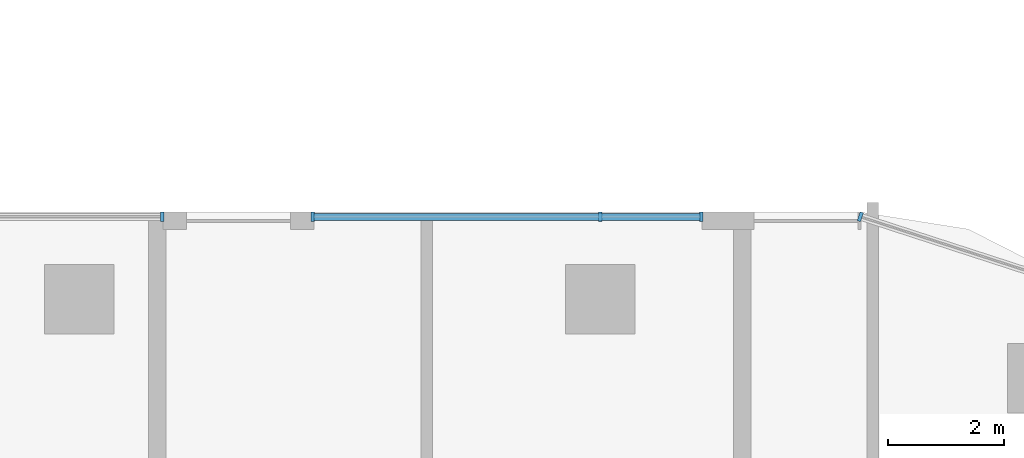
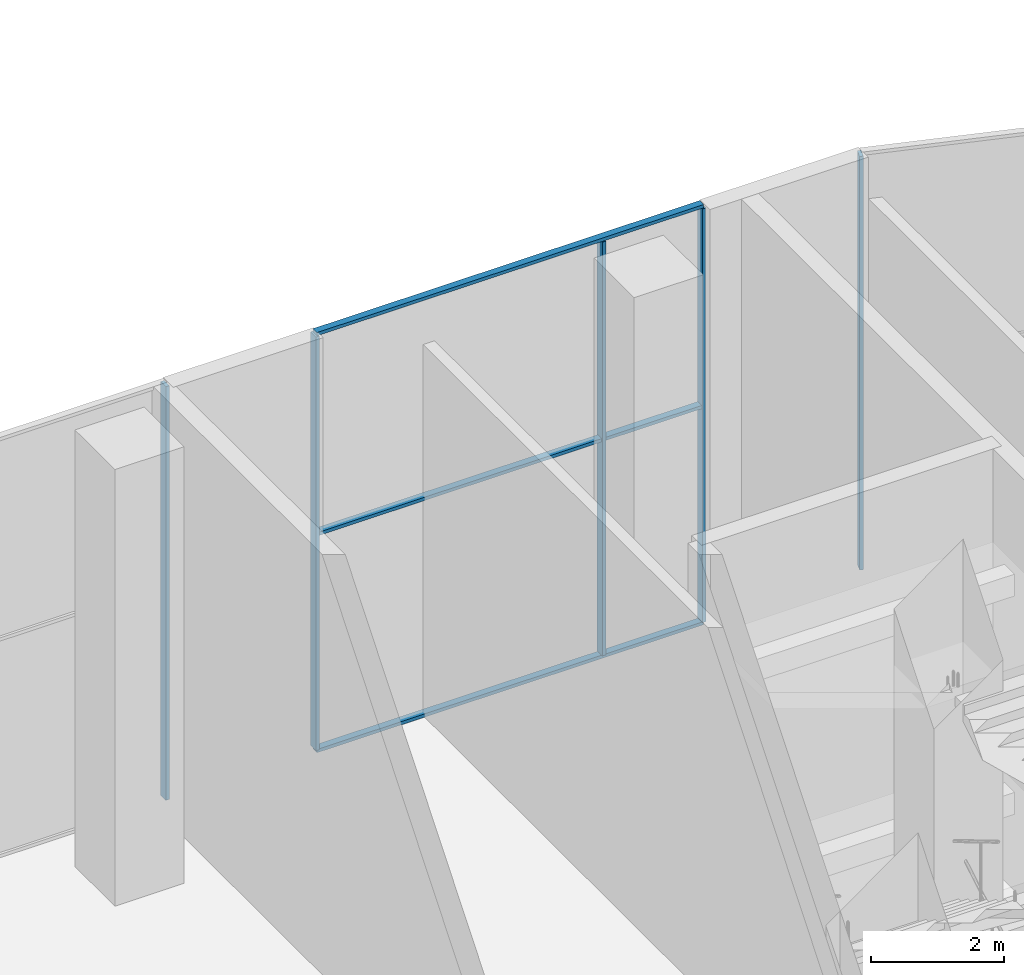
# One storey, part 15 of 54: 8 members, 3 elements without a shape of their own.
"""IFC4 building model written with IfcOpenShell, lengths in metres."""

from ifc_helpers import new_model, si_unit, direction, frame, origin, origin_2d, place, context, subcontext, project, spatial, rectangle, extrude, material, material_profile, profile_set, type_object, element, aggregate, save


model = new_model("IFC4")

# Units and contexts
model_context = context("Model", 3, precision=1e-05, world=origin(), true_north=direction((0.0, 1.0)))
body_context = subcontext(model_context, "Body", "Model", "MODEL_VIEW")
ifc_project = project(units=[si_unit("LENGTHUNIT", "METRE"), si_unit("AREAUNIT", "SQUARE_METRE"), si_unit("VOLUMEUNIT", "CUBIC_METRE"), si_unit("PLANEANGLEUNIT", "RADIAN"), si_unit("MASSUNIT", "GRAM", prefix="KILO")], contexts=[model_context])

# Site, building, storey
site_placement = place(None, origin())
site = spatial("IfcSite", under=ifc_project, at=site_placement, CompositionType="ELEMENT")
building_placement = place(site_placement, origin())
building = spatial("IfcBuilding", under=site, at=building_placement, Name="Ogive Portal Towers", CompositionType="ELEMENT")
storey_placement = place(building_placement, origin())
storey = spatial("IfcBuildingStorey", under=building, at=storey_placement, Name="L00", CompositionType="ELEMENT", Elevation=0.0)

# Curtain wall, members
ifc_material_1 = material(Name="Glass, clear low-iron insulated glazing", Category="glass")
curtain_wall_type = type_object("IfcCurtainWallType", Name="CW PODIUM SHOPFRONT", PredefinedType="NOTDEFINED", material=ifc_material_1)
curtain_wall_1_placement = place(storey_placement, origin())
curtain_wall_1 = element("IfcCurtainWall", 1, at=curtain_wall_1_placement, inside=storey, type_object=curtain_wall_type, Name="A:L00:f08:cw0", PredefinedType="NOTDEFINED")
ifc_material_2 = material(Name="Aluminium 6063 anodised", Category="aluminium")
ifc_material_profile_1 = material_profile(ifc_material_2, rectangle(XDim=0.159912109375, YDim=0.06005859375, at=origin_2d()), Name="AL 60x160")
ifc_profile_set_1 = profile_set([ifc_material_profile_1], Name="Aluminium 6063 anodised")
member_type_1 = type_object("IfcMemberType", Name="CW MULLION 60x160", PredefinedType="MULLION", material=ifc_profile_set_1)
member_1_placement = place(storey_placement, frame((96.236572265625, 49.919921875, 0.06005859375), z_axis=(0.0, 0.0, 1.0), x_axis=(0.0, -1.0, 0.0)))
member_1 = element("IfcMember", 2, at=member_1_placement, type_object=member_type_1, Name="mullion", PredefinedType="MULLION", context=body_context, shape_type="SweptSolid", body=[
    extrude(rectangle(XDim=0.159912109375, YDim=0.06005859375, at=origin_2d()), origin(), (0.0, 0.0, 1.0), 7.579833984375),
])
member_2_placement = place(storey_placement, frame((94.5, 49.919921875, 0.06005859375), z_axis=(0.0, 0.0, 1.0), x_axis=(0.0, -1.0, 0.0)))
member_2 = element("IfcMember", 3, at=member_2_placement, type_object=member_type_1, Name="mullion", PredefinedType="MULLION", context=body_context, shape_type="SweptSolid", body=[
    extrude(rectangle(XDim=0.159912109375, YDim=0.06005859375, at=origin_2d()), origin(), (0.0, 0.0, 1.0), 7.579833984375),
])
member_3_placement = place(storey_placement, frame((89.534912109375, 49.919921875, 0.06005859375), z_axis=(0.0, 0.0, 1.0), x_axis=(0.0, -1.0, 0.0)))
member_3 = element("IfcMember", 4, at=member_3_placement, type_object=member_type_1, Name="mullion", PredefinedType="MULLION", context=body_context, shape_type="SweptSolid", body=[
    extrude(rectangle(XDim=0.159912109375, YDim=0.06005859375, at=origin_2d()), origin(), (0.0, 0.0, 1.0), 7.579833984375),
])

# Curtain wall, member
curtain_wall_2_placement = place(storey_placement, origin())
curtain_wall_2 = element("IfcCurtainWall", 5, at=curtain_wall_2_placement, inside=storey, type_object=curtain_wall_type, Name="A:L00:f08:cw1", PredefinedType="NOTDEFINED")
member_4_placement = place(storey_placement, frame((86.934326171875, 49.919921875, 0.06005859375), z_axis=(0.0, 0.0, 1.0), x_axis=(0.0, -1.0, 0.0)))
member_4 = element("IfcMember", 6, at=member_4_placement, type_object=member_type_1, Name="mullion", PredefinedType="MULLION", context=body_context, shape_type="SweptSolid", body=[
    extrude(rectangle(XDim=0.159912109375, YDim=0.06005859375, at=origin_2d()), origin(), (0.0, 0.0, 1.0), 7.579833984375),
])
aggregate(curtain_wall_2, [member_4])

curtain_wall_3_placement = place(storey_placement, origin())
curtain_wall_3 = element("IfcCurtainWall", 7, at=curtain_wall_3_placement, inside=storey, type_object=curtain_wall_type, Name="A:L00:f06:cwa", PredefinedType="NOTDEFINED")
member_5_placement = place(storey_placement, frame((98.9873046875, 49.919921875, 0.06005859375), z_axis=(0.0, 0.0, 1.0), x_axis=(-0.309016994375, -0.951056516295, 0.0)))
member_5 = element("IfcMember", 8, at=member_5_placement, type_object=member_type_1, Name="mullion", PredefinedType="MULLION", context=body_context, shape_type="SweptSolid", body=[
    extrude(rectangle(XDim=0.159912109375, YDim=0.06005859375, at=origin_2d()), origin(), (0.0, 0.0, 1.0), 7.579833984375),
])
aggregate(curtain_wall_3, [member_5])

# Member
ifc_material_profile_2 = material_profile(ifc_material_2, rectangle(XDim=0.1201171875, YDim=0.06005859375, at=origin_2d()), Name="AL 120x60")
ifc_profile_set_2 = profile_set([ifc_material_profile_2], Name="Aluminium 6063 anodised")
member_type_2 = type_object("IfcMemberType", Name="CW TRANSOM 60x120", PredefinedType="USERDEFINED", material=ifc_profile_set_2)
member_6_placement = place(storey_placement, frame((96.236572265625, 49.919921875, 0.030029296875), z_axis=(-1.0, 0.0, 0.0), x_axis=(0.0, -1.0, 0.0)))
member_6 = element("IfcMember", 9, at=member_6_placement, type_object=member_type_2, Name="transom", ObjectType="TRANSOM", PredefinedType="USERDEFINED", context=body_context, shape_type="SweptSolid", body=[
    extrude(rectangle(XDim=0.1201171875, YDim=0.06005859375, at=origin_2d()), origin(), (0.0, 0.0, 1.0), 6.70166015625),
])

member_7_placement = place(storey_placement, frame((96.236572265625, 49.919921875, 4.0), z_axis=(-1.0, 0.0, 0.0), x_axis=(0.0, -1.0, 0.0)))
member_7 = element("IfcMember", 10, at=member_7_placement, type_object=member_type_2, Name="transom", ObjectType="TRANSOM", PredefinedType="USERDEFINED", context=body_context, shape_type="SweptSolid", body=[
    extrude(rectangle(XDim=0.1201171875, YDim=0.06005859375, at=origin_2d()), origin(), (0.0, 0.0, 1.0), 6.70166015625),
])

member_8_placement = place(storey_placement, frame((96.236572265625, 49.919921875, 7.669921875), z_axis=(-1.0, 0.0, 0.0), x_axis=(0.0, -1.0, 0.0)))
member_8 = element("IfcMember", 11, at=member_8_placement, type_object=member_type_2, Name="transom", ObjectType="TRANSOM", PredefinedType="USERDEFINED", context=body_context, shape_type="SweptSolid", body=[
    extrude(rectangle(XDim=0.1201171875, YDim=0.06005859375, at=origin_2d()), origin(), (0.0, 0.0, 1.0), 6.70166015625),
])

aggregate(curtain_wall_1, [member_6, member_7, member_8, member_1, member_2, member_3])

save(model, "model.ifc")
